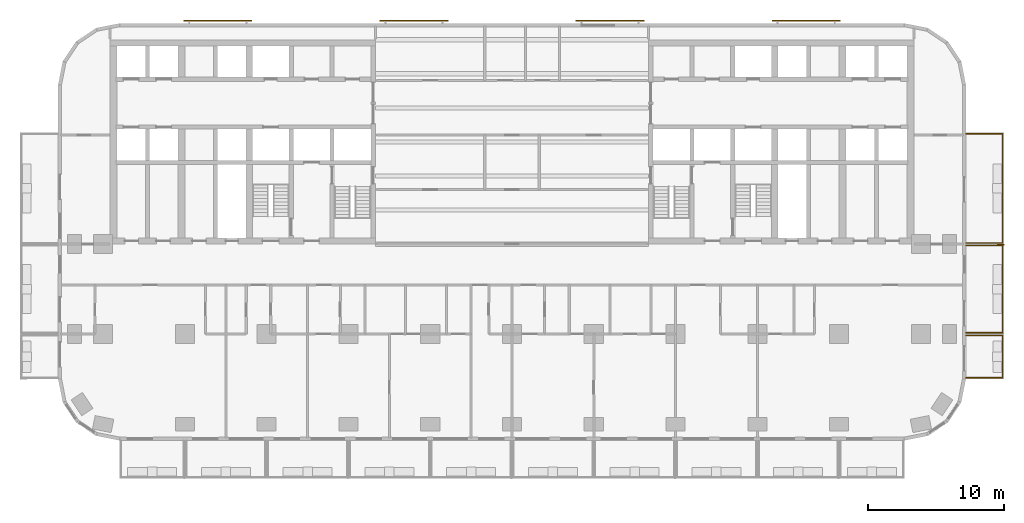
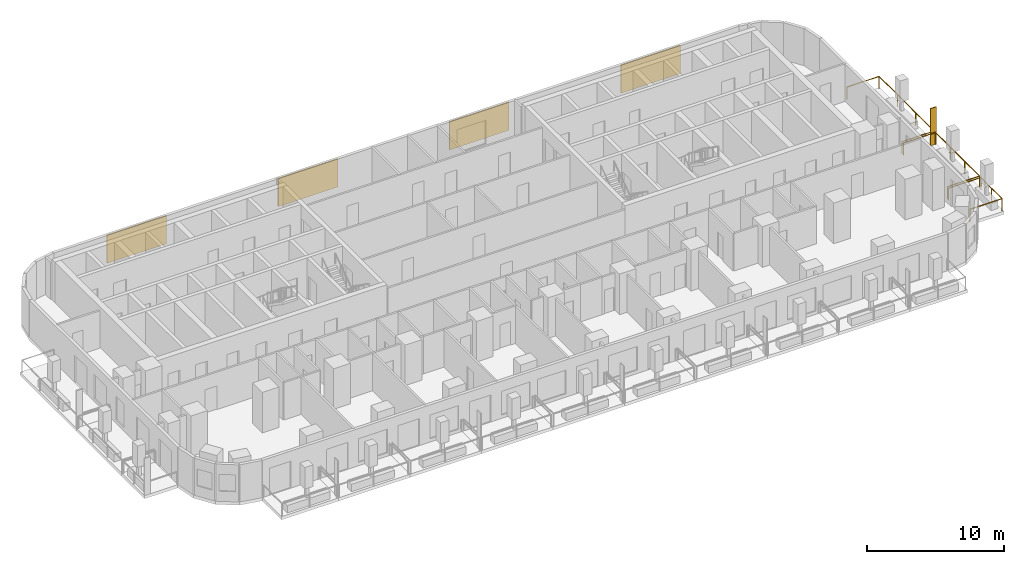
# One storey, part 13 of 14: 5 shading devices, 3 railings.
"""IFC4 building model written with IfcOpenShell, lengths in metres."""

from ifc_helpers import new_model, si_unit, direction, frame, origin, origin_2d, place, context, subcontext, project, spatial, rectangle, circle, extrude, material, layer, layer_set, type_object, element, save


model = new_model("IFC4")

# Units and contexts
model_context = context("Model", 3, precision=1e-05, world=origin(), true_north=direction((0.0, 1.0)))
body_context = subcontext(model_context, "Body", "Model", "MODEL_VIEW")
ifc_project = project(units=[si_unit("LENGTHUNIT", "METRE"), si_unit("AREAUNIT", "SQUARE_METRE"), si_unit("VOLUMEUNIT", "CUBIC_METRE"), si_unit("PLANEANGLEUNIT", "RADIAN"), si_unit("MASSUNIT", "GRAM", prefix="KILO")], contexts=[model_context])

# Site, building, storey
site_placement = place(None, origin())
site = spatial("IfcSite", under=ifc_project, at=site_placement, CompositionType="ELEMENT")
building_placement = place(site_placement, origin())
building = spatial("IfcBuilding", under=site, at=building_placement, Name="Torana Hotel and Residences", CompositionType="ELEMENT")
storey_placement = place(building_placement, frame((0.0, 0.0, 103.199951171875)))
storey = spatial("IfcBuildingStorey", under=building, at=storey_placement, Name="L26", CompositionType="ELEMENT", Elevation=103.199951171875)

# Shading device
ifc_material_1 = material(Name="Black powder coated aluminium", Category="aluminium")
ifc_layer_1 = layer(ifc_material_1, 0.080078125)
ifc_layer_set_1 = layer_set([ifc_layer_1], Name="FN1 VERTICAL FIN 500x80")
shading_device_type_1 = type_object("IfcShadingDeviceType", Name="FN1 VERTICAL FIN 500x80", PredefinedType="USERDEFINED", material=ifc_layer_set_1)
shading_device_placement = place(storey_placement, frame((35.85009765625, -15.0400390625, 0.0), z_axis=(0.0, 0.0, 1.0), x_axis=(0.0, -1.0, 0.0)))
element("IfcShadingDevice", 1, at=shading_device_placement, inside=storey, type_object=shading_device_type_1, Name="Fin 15", ObjectType="FIN", PredefinedType="USERDEFINED", context=body_context, shape_type="SweptSolid", body=[
    extrude(rectangle(XDim=0.080078125, YDim=0.5, at=origin_2d()), origin(), (0.0, 0.0, 1.0), 3.300048828125),
])

# Railings
ifc_material_2 = material(Name="Laminated glass balustrade with black handrail", Category="glass")
railing_type = type_object("IfcRailingType", Name="GR1 BALCONY GUARD 1100 GLASS", PredefinedType="GUARDRAIL", material=ifc_material_2)
railing_1_placement = place(storey_placement, frame((33.300048828125, -21.699951171875, 0.0)))
element("IfcRailing", 2, at=railing_1_placement, inside=storey, type_object=railing_type, Name="Balcony guard 14", PredefinedType="GUARDRAIL", context=body_context, shape_type="SweptSolid", body=[
    extrude(circle(Radius=0.02392578125, at=origin_2d()), frame((0.0, 0.0, 1.076171875), z_axis=(1.0, 0.0, 0.0), x_axis=(0.0, 1.0, 0.0)), (0.0, 0.0, 1.0), 2.699951171875),
    extrude(circle(Radius=0.02392578125, at=origin_2d()), frame((2.699951171875, 0.0, 1.076171875), z_axis=(0.0, -1.0, 0.0), x_axis=(1.0, 0.0, 0.0)), (0.0, 0.0, 1.0), 3.10009765625),
    extrude(circle(Radius=0.02392578125, at=origin_2d()), frame((2.699951171875, -3.10009765625, 1.076171875), z_axis=(-1.0, 0.0, 0.0), x_axis=(0.0, -1.0, 0.0)), (0.0, 0.0, 1.0), 2.699951171875),
    extrude(circle(Radius=0.02099609375, at=origin_2d()), origin(), (0.0, 0.0, 1.0), 1.052001953125),
    extrude(circle(Radius=0.02099609375, at=origin_2d()), frame((2.699951171875, 0.0, 0.0)), (0.0, 0.0, 1.0), 1.052001953125),
    extrude(circle(Radius=0.02099609375, at=origin_2d()), frame((2.699951171875, -1.550048828125, 0.0)), (0.0, 0.0, 1.0), 1.052001953125),
    extrude(circle(Radius=0.02099609375, at=origin_2d()), frame((2.699951171875, -3.10009765625, 0.0)), (0.0, 0.0, 1.0), 1.052001953125),
    extrude(circle(Radius=0.02099609375, at=origin_2d()), frame((0.0, -3.10009765625, 0.0)), (0.0, 0.0, 1.0), 1.052001953125),
])
railing_2_placement = place(storey_placement, frame((33.300048828125, -15.10009765625, 0.0)))
element("IfcRailing", 3, at=railing_2_placement, inside=storey, type_object=railing_type, Name="Balcony guard 15", PredefinedType="GUARDRAIL", context=body_context, shape_type="SweptSolid", body=[
    extrude(circle(Radius=0.02392578125, at=origin_2d()), frame((0.0, 0.0, 1.076171875), z_axis=(1.0, 0.0, 0.0), x_axis=(0.0, 1.0, 0.0)), (0.0, 0.0, 1.0), 2.699951171875),
    extrude(circle(Radius=0.02392578125, at=origin_2d()), frame((2.699951171875, 0.0, 1.076171875), z_axis=(0.0, -1.0, 0.0), x_axis=(1.0, 0.0, 0.0)), (0.0, 0.0, 1.0), 6.39990234375),
    extrude(circle(Radius=0.02392578125, at=origin_2d()), frame((2.699951171875, -6.39990234375, 1.076171875), z_axis=(-1.0, 0.0, 0.0), x_axis=(0.0, -1.0, 0.0)), (0.0, 0.0, 1.0), 2.699951171875),
    extrude(circle(Radius=0.02099609375, at=origin_2d()), origin(), (0.0, 0.0, 1.0), 1.052001953125),
    extrude(circle(Radius=0.02099609375, at=origin_2d()), frame((2.699951171875, 0.0, 0.0)), (0.0, 0.0, 1.0), 1.052001953125),
    extrude(circle(Radius=0.02099609375, at=origin_2d()), frame((2.699951171875, -2.13330078125, 0.0)), (0.0, 0.0, 1.0), 1.052001953125),
    extrude(circle(Radius=0.02099609375, at=origin_2d()), frame((2.699951171875, -4.2666015625, 0.0)), (0.0, 0.0, 1.0), 1.052001953125),
    extrude(circle(Radius=0.02099609375, at=origin_2d()), frame((2.699951171875, -6.39990234375, 0.0)), (0.0, 0.0, 1.0), 1.052001953125),
    extrude(circle(Radius=0.02099609375, at=origin_2d()), frame((0.0, -6.39990234375, 0.0)), (0.0, 0.0, 1.0), 1.052001953125),
])
railing_3_placement = place(storey_placement, frame((33.300048828125, -6.89990234375, 0.0)))
element("IfcRailing", 4, at=railing_3_placement, inside=storey, type_object=railing_type, Name="Balcony guard 16", PredefinedType="GUARDRAIL", context=body_context, shape_type="SweptSolid", body=[
    extrude(circle(Radius=0.02392578125, at=origin_2d()), frame((0.0, 0.0, 1.076171875), z_axis=(1.0, 0.0, 0.0), x_axis=(0.0, 1.0, 0.0)), (0.0, 0.0, 1.0), 2.699951171875),
    extrude(circle(Radius=0.02392578125, at=origin_2d()), frame((2.699951171875, 0.0, 1.076171875), z_axis=(0.0, -1.0, 0.0), x_axis=(1.0, 0.0, 0.0)), (0.0, 0.0, 1.0), 8.0),
    extrude(circle(Radius=0.02392578125, at=origin_2d()), frame((2.699951171875, -8.0, 1.076171875), z_axis=(-1.0, 0.0, 0.0), x_axis=(0.0, -1.0, 0.0)), (0.0, 0.0, 1.0), 2.699951171875),
    extrude(circle(Radius=0.02099609375, at=origin_2d()), origin(), (0.0, 0.0, 1.0), 1.052001953125),
    extrude(circle(Radius=0.02099609375, at=origin_2d()), frame((2.699951171875, 0.0, 0.0)), (0.0, 0.0, 1.0), 1.052001953125),
    extrude(circle(Radius=0.02099609375, at=origin_2d()), frame((2.699951171875, -2.666748046875, 0.0)), (0.0, 0.0, 1.0), 1.052001953125),
    extrude(circle(Radius=0.02099609375, at=origin_2d()), frame((2.699951171875, -5.333251953125, 0.0)), (0.0, 0.0, 1.0), 1.052001953125),
    extrude(circle(Radius=0.02099609375, at=origin_2d()), frame((2.699951171875, -8.0, 0.0)), (0.0, 0.0, 1.0), 1.052001953125),
    extrude(circle(Radius=0.02099609375, at=origin_2d()), frame((0.0, -8.0, 0.0)), (0.0, 0.0, 1.0), 1.052001953125),
])

# Shading devices
ifc_material_3 = material(Name="Concrete C40/50 precast", Category="concrete")
ifc_layer_2 = layer(ifc_material_3, 0.10009765625)
ifc_layer_set_2 = layer_set([ifc_layer_2], Name="SC1 PERFORATED BLOCK SCREEN PANEL 100")
shading_device_type_2 = type_object("IfcShadingDeviceType", Name="SC1 PERFORATED BLOCK SCREEN PANEL 100", PredefinedType="USERDEFINED", material=ifc_layer_set_2)
for number, where, z_axis, x_axis, name in (
    (5, (21.58154296875, 1.39990234375, 0.5), (0.0, 0.0, 1.0), (-1.0, 0.0, 0.0), "Perforated block screen L26"),
    (6, (7.19384765625, 1.39990234375, 0.5), (0.0, 0.0, 1.0), (-1.0, 0.0, 0.0), "Perforated block screen L26"),
    (7, (-7.19384765625, 1.39990234375, 0.5), (0.0, 0.0, 1.0), (-1.0, 0.0, 0.0), "Perforated block screen L26"),
    (8, (-21.58154296875, 1.39990234375, 0.5), (0.0, 0.0, 1.0), (-1.0, 0.0, 0.0), "Perforated block screen L26"),
):
    element("IfcShadingDevice", number, at=place(storey_placement, frame(where, z_axis=z_axis, x_axis=x_axis)), inside=storey, type_object=shading_device_type_2, Name=name, ObjectType="SCREEN", PredefinedType="USERDEFINED", context=body_context, shape_type="SweptSolid", body=[
        extrude(rectangle(XDim=5.0, YDim=0.10009765625, at=origin_2d()), origin(), (0.0, 0.0, 1.0), 2.5),
    ])

save(model, "model.ifc")
